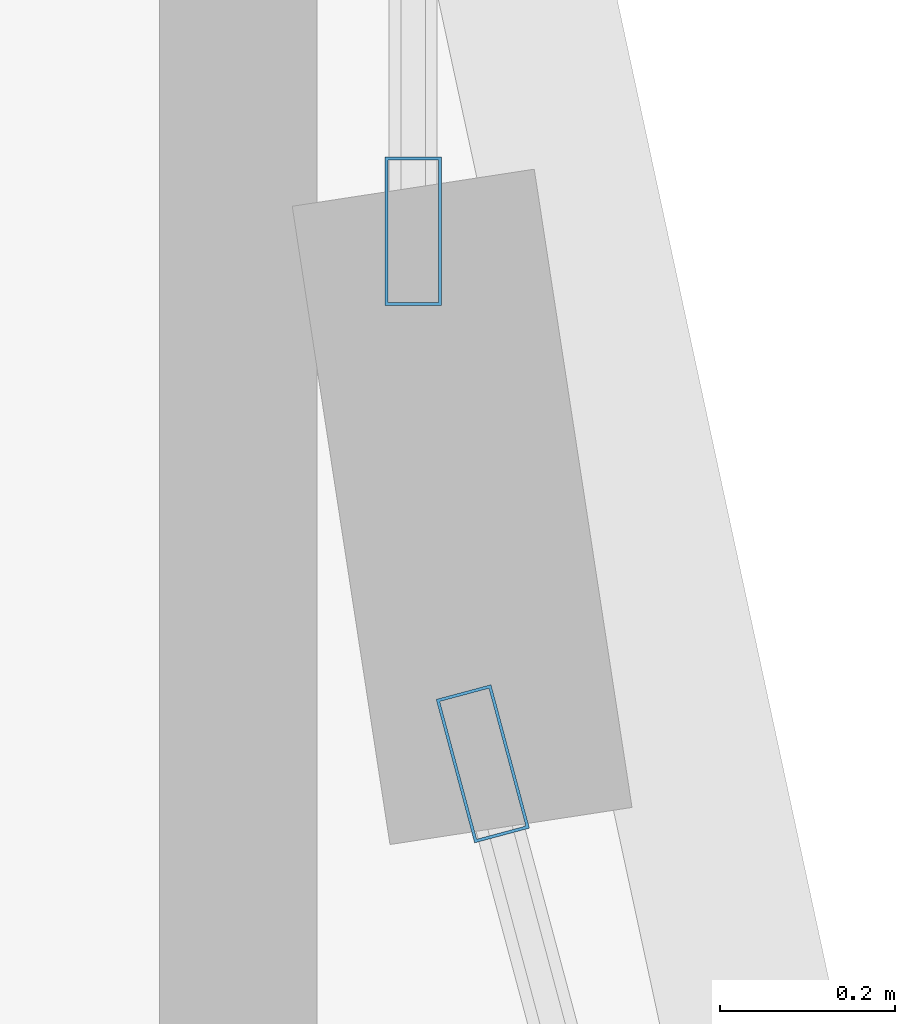
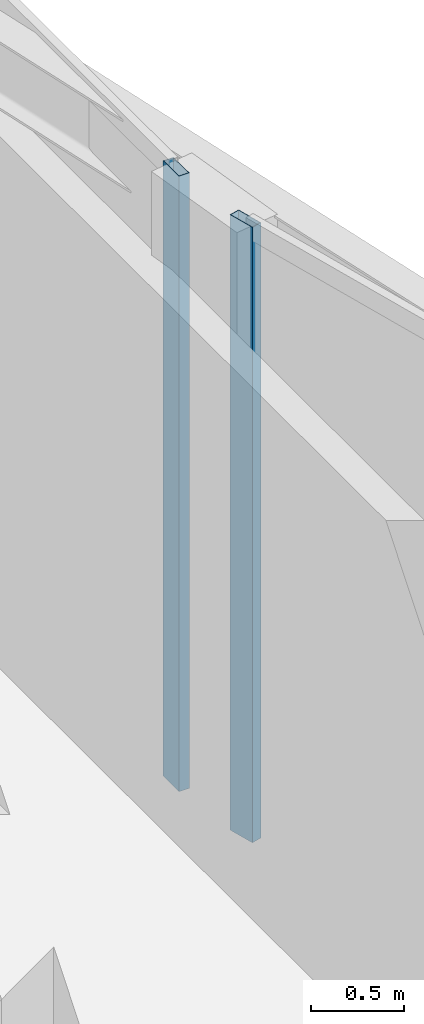
# One storey, part 19 of 29: 2 members, 2 elements without a shape of their own.
"""IFC4 building model written with IfcOpenShell, lengths in metres."""

from ifc_helpers import new_model, si_unit, direction, frame, origin, origin_2d, place, context, subcontext, project, spatial, hollow_rectangle, extrude, material, layer, layer_set, material_profile, profile_set, type_object, element, aggregate, save


model = new_model("IFC4")

# Units and contexts
model_context = context("Model", 3, precision=1e-05, world=origin(), true_north=direction((0.0, 1.0)))
body_context = subcontext(model_context, "Body", "Model", "MODEL_VIEW")
ifc_project = project(units=[si_unit("LENGTHUNIT", "METRE"), si_unit("AREAUNIT", "SQUARE_METRE"), si_unit("VOLUMEUNIT", "CUBIC_METRE"), si_unit("PLANEANGLEUNIT", "RADIAN"), si_unit("MASSUNIT", "GRAM", prefix="KILO")], contexts=[model_context])

# Site, building, storey
site_placement = place(None, origin())
site = spatial("IfcSite", under=ifc_project, at=site_placement, CompositionType="ELEMENT")
building_placement = place(site_placement, origin())
building = spatial("IfcBuilding", under=site, at=building_placement, Name="Calvorn Quay Hotel", CompositionType="ELEMENT")
storey_placement = place(building_placement, frame((0.0, 0.0, 259.0)))
storey = spatial("IfcBuildingStorey", under=building, at=storey_placement, Name="L64", CompositionType="ELEMENT", Elevation=259.0)

# Curtain wall, member
ifc_material_1 = material(Name="Champagne Bronze Anodised Aluminium and Low-E Glass", Category="aluminium")
ifc_layer = layer(ifc_material_1, 0.219970703125)
ifc_layer_set = layer_set([ifc_layer], Name="CW-SYS-Z4")
curtain_wall_type = type_object("IfcCurtainWallType", Name="CW-SYS-Z4", PredefinedType="NOTDEFINED", material=ifc_layer_set)
curtain_wall_1_placement = place(storey_placement, origin())
curtain_wall_1 = element("IfcCurtainWall", 1, at=curtain_wall_1_placement, inside=storey, type_object=curtain_wall_type, Name="Inner Court Curtain Wall L64-IC1", PredefinedType="NOTDEFINED")
ifc_material_2 = material(Name="Champagne Bronze Anodised Aluminium 6063-T6", Category="aluminium")
ifc_material_profile = material_profile(ifc_material_2, hollow_rectangle(XDim=0.06494140625, YDim=0.169921875, WallThickness=0.00341796875, at=origin_2d()), Name="ALU-M170x65x3.5")
ifc_profile_set = profile_set([ifc_material_profile], Name="Champagne Bronze Anodised Aluminium 6063-T6")
member_type = type_object("IfcMemberType", Name="CW-SYS-Z4-MUL", PredefinedType="MULLION", material=ifc_profile_set)
member_1_placement = place(storey_placement, frame((17.9296875, 38.10107421875, 0.0), z_axis=(0.0, 0.0, 1.0), x_axis=(-0.96593652056, -0.25877913024, 0.0)))
member_1 = element("IfcMember", 2, at=member_1_placement, type_object=member_type, Name="CW-L64-IC1 mullion 2", PredefinedType="MULLION", context=body_context, shape_type="SweptSolid", body=[
    extrude(hollow_rectangle(XDim=0.06494140625, YDim=0.169921875, WallThickness=0.00341796875, at=origin_2d()), origin(), (0.0, 0.0, 1.0), 4.050048828125),
])
aggregate(curtain_wall_1, [member_1])

curtain_wall_2_placement = place(storey_placement, origin())
curtain_wall_2 = element("IfcCurtainWall", 3, at=curtain_wall_2_placement, inside=storey, type_object=curtain_wall_type, Name="Inner Court Curtain Wall L64-IC2", PredefinedType="NOTDEFINED")
member_2_placement = place(storey_placement, frame((17.85009765625, 38.7099609375, 0.0), z_axis=(0.0, 0.0, 1.0), x_axis=(-1.0, 0.0, 0.0)))
member_2 = element("IfcMember", 4, at=member_2_placement, type_object=member_type, Name="CW-L64-IC2 mullion 1", PredefinedType="MULLION", context=body_context, shape_type="SweptSolid", body=[
    extrude(hollow_rectangle(XDim=0.06494140625, YDim=0.169921875, WallThickness=0.00341796875, at=origin_2d()), origin(), (0.0, 0.0, 1.0), 4.050048828125),
])
aggregate(curtain_wall_2, [member_2])

save(model, "model.ifc")
